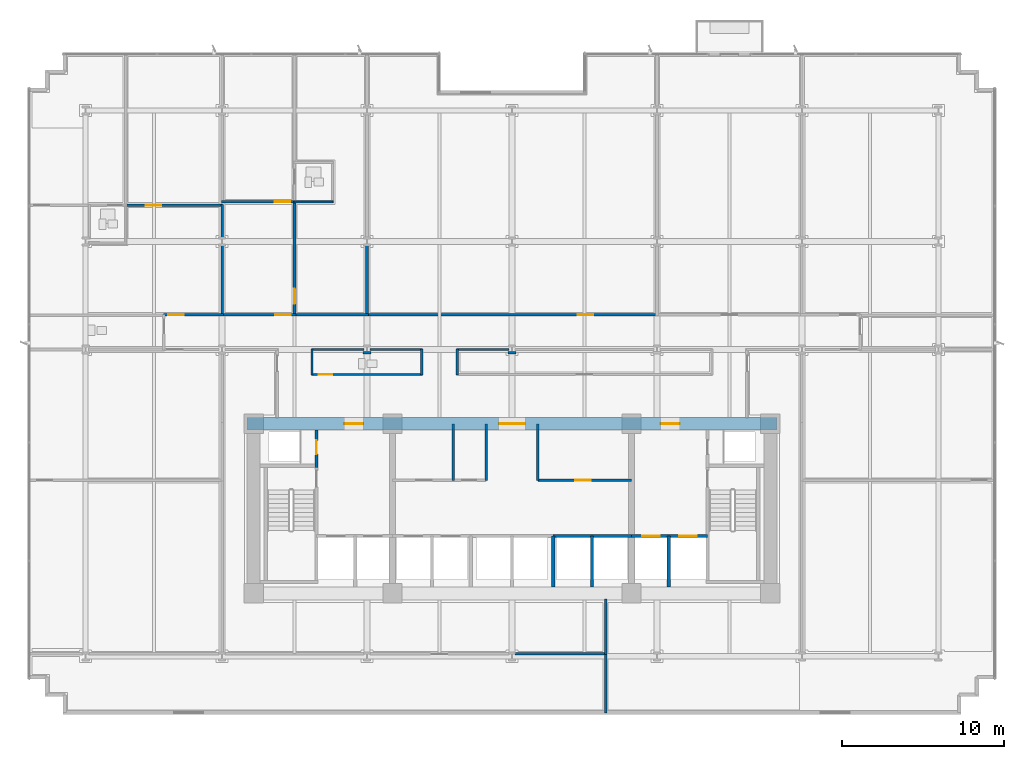
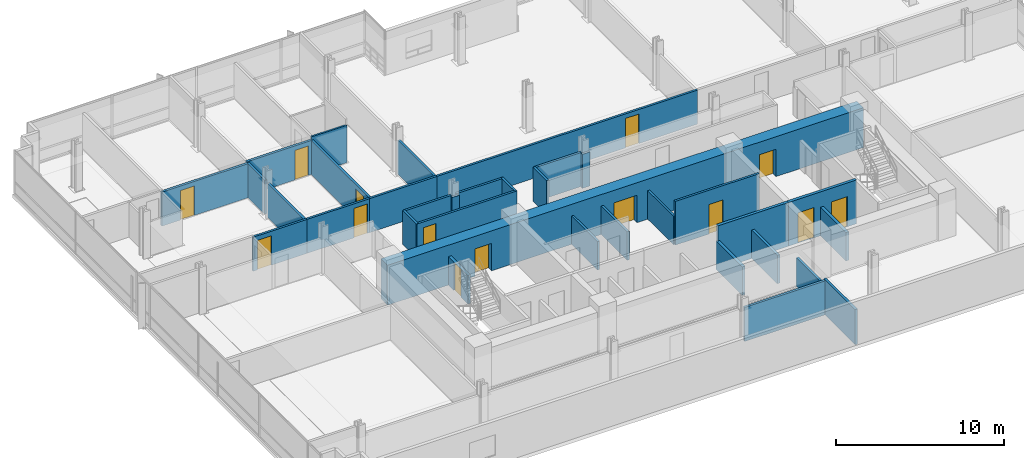
# One storey, part 13 of 20: 34 walls, 14 doors, 14 openings.
"""IFC4 building model written with IfcOpenShell, lengths in metres."""

import ifcopenshell
import ifcopenshell.guid

model = None  # the IFC model being written
_history = None  # IfcOwnerHistory: only IFC2X3 demands one
_inside = {}  # id of a spatial element -> (the spatial element, [elements in it])
_under = {}  # id of a project, library or spatial element -> (it, [spatial elements below it])
_declared = {}  # id of a project -> (the project, [libraries it declares])
_typed = {}  # id of a type object -> (the type object, [elements of that type])
_made_of = {}  # id of a material, layer set ... -> (it, [elements and type objects made of it])


def new_model(schema):
    """Start an empty IFC model of exactly this schema.

    Asked for "IFC4X3", IfcOpenShell would pick the latest addendum, in which some entities
    have other attributes; the version numbers below select the first issue.
    IFC2X3 requires an IfcOwnerHistory on every rooted entity: one is made here for all.
    """
    global model, _history
    if schema == "IFC4X3":
        model = ifcopenshell.file(schema_version=(4, 3, 0, 0))
    else:
        model = ifcopenshell.file(schema=schema)
    _inside.clear()
    _under.clear()
    _declared.clear()
    _typed.clear()
    _made_of.clear()
    _history = None
    if model.schema == "IFC2X3":
        org = make("IfcOrganization", Name="unknown")
        user = make(
            "IfcPersonAndOrganization",
            ThePerson=make("IfcPerson", FamilyName="unknown"),
            TheOrganization=org,
        )
        app = make(
            "IfcApplication",
            ApplicationDeveloper=org,
            Version="unknown",
            ApplicationFullName="unknown",
            ApplicationIdentifier="unknown",
        )
        _history = make(
            "IfcOwnerHistory",
            OwningUser=user,
            OwningApplication=app,
            ChangeAction="ADDED",
            CreationDate=0,
        )
    return model


def make(cls, **values):
    """One entity of the class cls with the attributes given. An attribute that is None is left unset."""
    return model.create_entity(
        cls, **{name: value for name, value in values.items() if value is not None}
    )


def rooted(cls, **values):
    """An entity with a GlobalId (a new one), such as an element, a storey or a relation."""
    return make(cls, GlobalId=ifcopenshell.guid.new(), OwnerHistory=_history, **values)


def si_unit(unit_type, name, prefix=None):
    """IfcSIUnit, for example si_unit("LENGTHUNIT", "METRE", prefix="MILLI")."""
    return make("IfcSIUnit", UnitType=unit_type, Prefix=prefix, Name=name)


def assignment(units):
    """IfcUnitAssignment: the units of a project."""
    return None if units is None else make("IfcUnitAssignment", Units=units)


def point(xyz):
    """IfcCartesianPoint."""
    return None if xyz is None else make("IfcCartesianPoint", Coordinates=xyz)


def direction(xyz):
    """IfcDirection."""
    return None if xyz is None else make("IfcDirection", DirectionRatios=xyz)


def frame(location, z_axis=None, x_axis=None):
    """IfcAxis2Placement3D, a coordinate frame: its origin and axes. An axis left out is left unset."""
    return make(
        "IfcAxis2Placement3D",
        Location=point(location),
        Axis=direction(z_axis),
        RefDirection=direction(x_axis),
    )


def frame_2d(location, x_axis=None):
    """IfcAxis2Placement2D, a coordinate frame in the plane: its origin and x axis."""
    return make(
        "IfcAxis2Placement2D", Location=point(location), RefDirection=direction(x_axis)
    )


def origin():
    """The frame at (0, 0, 0) with its axes left unset."""
    return frame((0.0, 0.0, 0.0))


def place(relative_to, where):
    """IfcLocalPlacement: puts the frame where relative to a parent placement (None: the world)."""
    return make(
        "IfcLocalPlacement", PlacementRelTo=relative_to, RelativePlacement=where
    )


def context(
    kind, dimensions, precision=None, world=None, true_north=None, identifier=None
):
    """IfcGeometricRepresentationContext, for example the 3D "Model" context."""
    return make(
        "IfcGeometricRepresentationContext",
        ContextIdentifier=identifier,
        ContextType=kind,
        CoordinateSpaceDimension=dimensions,
        Precision=precision,
        WorldCoordinateSystem=world,
        TrueNorth=true_north,
    )


def subcontext(parent, identifier, kind, view, scale=None):
    """IfcGeometricRepresentationSubContext, for example "Body" below "Model"."""
    return make(
        "IfcGeometricRepresentationSubContext",
        ContextIdentifier=identifier,
        ContextType=kind,
        ParentContext=parent,
        TargetScale=scale,
        TargetView=view,
    )


def project(units=None, contexts=None):
    """IfcProject with its units and contexts."""
    return rooted(
        "IfcProject",
        Name="project",
        RepresentationContexts=contexts,
        UnitsInContext=assignment(units),
    )


def spatial(cls, under=None, at=None, **own):
    """A site, building, storey or space (cls), placed at a placement, below another one or the project."""
    s = rooted(cls, ObjectPlacement=at, **own)
    if under is not None:
        _under.setdefault(under.id(), (under, []))[1].append(s)
    return s


def profile(cls, at=None, kind="AREA", **sizes):
    """A parametric profile (cls). Its sizes go by their IFC names, for example OverallWidth=200.0."""
    return make(cls, ProfileType=kind, Position=at, **sizes)


def rectangle(**sizes):
    """IfcRectangleProfileDef."""
    return profile("IfcRectangleProfileDef", **sizes)


def extrude(swept, where, along, depth):
    """IfcExtrudedAreaSolid: the profile swept, set in the frame where, extruded along a direction by depth."""
    return make(
        "IfcExtrudedAreaSolid",
        SweptArea=swept,
        Position=where,
        ExtrudedDirection=direction(along),
        Depth=depth,
    )


def shape(context_of_items, identifier, shape_type, items):
    """IfcShapeRepresentation: the items that make up one representation, for example the "Body"."""
    return make(
        "IfcShapeRepresentation",
        ContextOfItems=context_of_items,
        RepresentationIdentifier=identifier,
        RepresentationType=shape_type,
        Items=items,
    )


def material(Name=None, Category=None):
    """IfcMaterial."""
    return make("IfcMaterial", Name=Name, Category=Category)


def layer(
    of_material, thickness, ventilated=None, Name=None, Category=None, Priority=None
):
    """IfcMaterialLayer: one layer of a wall or slab, of a material (None: an air gap)."""
    return make(
        "IfcMaterialLayer",
        Material=of_material,
        LayerThickness=thickness,
        IsVentilated=ventilated,
        Name=Name,
        Category=Category,
        Priority=Priority,
    )


def layer_set(layers, Name=None):
    """IfcMaterialLayerSet."""
    return make("IfcMaterialLayerSet", MaterialLayers=layers, LayerSetName=Name)


def made_of(thing, what):
    """Note that an element or type object is made of a material, layer set ...; save() writes the relation."""
    if what is not None:
        _made_of.setdefault(what.id(), (what, []))[1].append(thing)
    return thing


def type_object(cls, material=None, **own):
    """A type object (cls), such as IfcWallType, which elements share."""
    return made_of(rooted(cls, **own), material)


def element(
    cls,
    number,
    at=None,
    inside=None,
    cuts=None,
    type_object=None,
    material=None,
    context=None,
    identifier="Body",
    shape_type=None,
    held_by="IfcProductDefinitionShape",
    body=None,
    shapes=None,
    **own,
):
    """One element of the class cls, such as IfcWall. Its Tag is "e" and its number.

    at: its placement. inside: the storey or other place that contains it. cuts: it is an
    opening in that element (IfcRelVoidsElement). A single representation is given by context,
    identifier, shape_type and body (its items); several are given by shapes. held_by: the class
    of the entity that holds the representations. save() writes the other relations.
    """
    e = rooted(cls, Tag="e%d" % number, ObjectPlacement=at, **own)
    if body is not None:
        shapes = [shape(context, identifier, shape_type, body)]
    if shapes is not None:
        e.Representation = make(held_by, Representations=shapes)
    if inside is not None:
        _inside.setdefault(inside.id(), (inside, []))[1].append(e)
    if cuts is not None:
        rooted(
            "IfcRelVoidsElement", RelatingBuildingElement=cuts, RelatedOpeningElement=e
        )
    if type_object is not None:
        _typed.setdefault(type_object.id(), (type_object, []))[1].append(e)
    return made_of(e, material)


def fill(opening, filler):
    """IfcRelFillsElement: the door or window that sits in an opening."""
    return rooted(
        "IfcRelFillsElement",
        RelatingOpeningElement=opening,
        RelatedBuildingElement=filler,
    )


def aggregate(whole, parts):
    """IfcRelAggregates: a whole, such as a stair, and the parts it consists of."""
    return rooted("IfcRelAggregates", RelatingObject=whole, RelatedObjects=parts)


def save(model, path):
    """Write the relations noted so far, then the file.

    IfcRelAggregates (storeys below a building ...), IfcRelContainedInSpatialStructure (elements
    in a storey), IfcRelDefinesByType, IfcRelAssociatesMaterial and IfcRelDeclares: one each for
    every whole, place, type object, material and project.
    """
    for whole, parts in _under.values():
        aggregate(whole, parts)
    for where, things in _inside.values():
        rooted(
            "IfcRelContainedInSpatialStructure",
            RelatedElements=things,
            RelatingStructure=where,
        )
    for kind, things in _typed.values():
        rooted("IfcRelDefinesByType", RelatedObjects=things, RelatingType=kind)
    for what, things in _made_of.values():
        rooted("IfcRelAssociatesMaterial", RelatedObjects=things, RelatingMaterial=what)
    for by, libraries in _declared.values():
        rooted("IfcRelDeclares", RelatingContext=by, RelatedDefinitions=libraries)
    model.write(path)


model = new_model("IFC4")

# Units and contexts
model_context = context("Model", 3, precision=1e-05, world=origin(), true_north=direction((0.0, 1.0)))
body_context = subcontext(model_context, "Body", "Model", "MODEL_VIEW")
ifc_project = project(units=[si_unit("LENGTHUNIT", "METRE"), si_unit("AREAUNIT", "SQUARE_METRE"), si_unit("VOLUMEUNIT", "CUBIC_METRE"), si_unit("PLANEANGLEUNIT", "RADIAN"), si_unit("MASSUNIT", "GRAM", prefix="KILO")], contexts=[model_context])

# Site, building, storey
site_placement = place(None, origin())
site = spatial("IfcSite", under=ifc_project, at=site_placement, CompositionType="ELEMENT")
building_placement = place(site_placement, origin())
building = spatial("IfcBuilding", under=site, at=building_placement, Name="Solmavex Isthmus Hotel", CompositionType="ELEMENT")
storey_placement = place(building_placement, frame((0.0, 0.0, 57.449951171875)))
storey = spatial("IfcBuildingStorey", under=building, at=storey_placement, Name="L15", CompositionType="ELEMENT", Elevation=57.449951171875)

# Wall, opening, door
ifc_material_1 = material(Name="Gypsum plasterboard lining", Category="gypsum")
ifc_layer_1 = layer(ifc_material_1, 0.159912109375)
ifc_layer_set_1 = layer_set([ifc_layer_1], Name="Gypsum plasterboard lining")
wall_type_1 = type_object("IfcWallType", Name="IW-COMP-160", PredefinedType="PARTITIONING", material=ifc_layer_set_1)
wall_1_placement = place(storey_placement, frame((-23.9560546875, 11.0380859375, 0.0), z_axis=(0.0, 0.0, 1.0), x_axis=(1.0, 0.0, 0.0)))
wall_1 = element("IfcWall", 1, at=wall_1_placement, inside=storey, type_object=wall_type_1, Name="Interior Partition Wall W-L15-P030", PredefinedType="PARTITIONING", context=body_context, shape_type="SweptSolid", body=[
    extrude(rectangle(XDim=6.0439453125, YDim=0.159912109375, at=frame_2d((3.02197265625, 0.0))), origin(), (0.0, 0.0, 1.0), 2.4794921875),
])
opening_1_placement = place(wall_1_placement, frame((1.294677734375, 0.0, 0.0)))
opening_1 = element("IfcOpeningElement", 2, at=opening_1_placement, cuts=wall_1, Name="Opening ID-C095", PredefinedType="OPENING", context=body_context, shape_type="SweptSolid", body=[
    extrude(rectangle(XDim=0.949951171875, YDim=2.14990234375, at=frame_2d((0.47509765625, 1.074951171875))), frame((0.0, 0.08984375, 0.0), z_axis=(0.0, -1.0, 0.0), x_axis=(1.0, 0.0, 0.0)), (0.0, 0.0, 1.0), 0.179931640625),
])
ifc_material_2 = material(Name="Hardwood timber", Category="wood")
door_type_1 = type_object("IfcDoorType", Name="IDR-FD60-0950", OperationType="NOTDEFINED", PredefinedType="DOOR", material=ifc_material_2)
door_1_placement = place(opening_1_placement, origin())
door_1 = element("IfcDoor", 3, at=door_1_placement, inside=storey, type_object=door_type_1, Name="Ambassador Panorama Suite Panorama Sitting Study Door L15-03", OperationType="SINGLE_SWING_LEFT", OverallHeight=2.14990234375, OverallWidth=0.949951171875, PredefinedType="DOOR", context=body_context, shape_type="SweptSolid", body=[
    extrude(rectangle(XDim=0.949951171875, YDim=2.14990234375, at=frame_2d((0.47509765625, 1.074951171875))), frame((0.0, 0.02490234375, 0.0), z_axis=(0.0, -1.0, 0.0), x_axis=(1.0, 0.0, 0.0)), (0.0, 0.0, 1.0), 0.050048828125),
])
fill(opening_1, door_1)

# Walls
wall_2_placement = place(storey_placement, frame((-17.951904296875, 8.613037109375, 0.0), z_axis=(0.0, 0.0, 1.0), x_axis=(0.0, -1.0, 0.0)))
element("IfcWall", 4, at=wall_2_placement, inside=storey, type_object=wall_type_1, Name="Interior Partition Wall W-L15-P034", PredefinedType="PARTITIONING", context=body_context, shape_type="SweptSolid", body=[
    extrude(rectangle(XDim=4.403076171875, YDim=0.159912109375, at=frame_2d((2.20166015625, 0.0))), origin(), (0.0, 0.0, 1.0), 2.4794921875),
])
wall_3_placement = place(storey_placement, frame((-17.951904296875, 11.077880859375, 0.0), z_axis=(0.0, 0.0, 1.0), x_axis=(0.0, -1.0, 0.0)))
element("IfcWall", 5, at=wall_3_placement, inside=storey, type_object=wall_type_1, Name="Interior Partition Wall W-L15-P035", PredefinedType="PARTITIONING", context=body_context, shape_type="SweptSolid", body=[
    extrude(rectangle(XDim=2.114990234375, YDim=0.159912109375, at=frame_2d((1.0576171875, 0.0))), origin(), (0.0, 0.0, 1.0), 2.4794921875),
])

# Wall, opening, door
wall_4_placement = place(storey_placement, frame((-17.991943359375, 11.238037109375, 0.0), z_axis=(0.0, 0.0, 1.0), x_axis=(1.0, 0.0, 0.0)))
wall_4 = element("IfcWall", 6, at=wall_4_placement, inside=storey, type_object=wall_type_1, Name="Interior Partition Wall W-L15-P041", PredefinedType="PARTITIONING", context=body_context, shape_type="SweptSolid", body=[
    extrude(rectangle(XDim=4.56787109375, YDim=0.159912109375, at=frame_2d((2.283935546875, 0.0))), origin(), (0.0, 0.0, 1.0), 2.4794921875),
])
opening_2_placement = place(wall_4_placement, frame((3.31689453125, 0.0, 0.0)))
opening_2 = element("IfcOpeningElement", 7, at=opening_2_placement, cuts=wall_4, Name="Opening ID-C095", PredefinedType="OPENING", context=body_context, shape_type="SweptSolid", body=[
    extrude(rectangle(XDim=0.949951171875, YDim=2.14990234375, at=frame_2d((0.47509765625, 1.074951171875))), frame((0.0, 0.08984375, 0.0), z_axis=(0.0, -1.0, 0.0), x_axis=(1.0, 0.0, 0.0)), (0.0, 0.0, 1.0), 0.179931640625),
])
door_2_placement = place(opening_2_placement, origin())
door_2 = element("IfcDoor", 8, at=door_2_placement, inside=storey, type_object=door_type_1, Name="Premier Hospitality Suite Master Bedroom Door L15-06", OperationType="SINGLE_SWING_RIGHT", OverallHeight=2.14990234375, OverallWidth=0.949951171875, PredefinedType="DOOR", context=body_context, shape_type="SweptSolid", body=[
    extrude(rectangle(XDim=0.949951171875, YDim=2.14990234375, at=frame_2d((0.47509765625, 1.074951171875))), frame((0.0, 0.02490234375, 0.0), z_axis=(0.0, -1.0, 0.0), x_axis=(1.0, 0.0, 0.0)), (0.0, 0.0, 1.0), 0.050048828125),
])
fill(opening_2, door_2)

wall_5_placement = place(storey_placement, frame((-13.464111328125, 11.278076171875, 0.0), z_axis=(0.0, 0.0, 1.0), x_axis=(0.0, -1.0, 0.0)))
wall_5 = element("IfcWall", 9, at=wall_5_placement, inside=storey, type_object=wall_type_1, Name="Interior Partition Wall W-L15-P042", PredefinedType="PARTITIONING", context=body_context, shape_type="SweptSolid", body=[
    extrude(rectangle(XDim=7.068115234375, YDim=0.159912109375, at=frame_2d((3.5341796875, 0.0))), origin(), (0.0, 0.0, 1.0), 2.4794921875),
])
opening_3_placement = place(wall_5_placement, frame((5.406982421875, 0.0, 0.0)))
opening_3 = element("IfcOpeningElement", 10, at=opening_3_placement, cuts=wall_5, Name="Opening ID-C095", PredefinedType="OPENING", context=body_context, shape_type="SweptSolid", body=[
    extrude(rectangle(XDim=0.949951171875, YDim=2.14990234375, at=frame_2d((0.47509765625, 1.074951171875))), frame((0.0, 0.08984375, 0.0), z_axis=(0.0, -1.0, 0.0), x_axis=(1.0, 0.0, 0.0)), (0.0, 0.0, 1.0), 0.179931640625),
])
door_3_placement = place(opening_3_placement, frame((0.949951171875, 0.0, 0.0), z_axis=(0.0, 0.0, 1.0), x_axis=(-1.0, 0.0, 0.0)))
door_3 = element("IfcDoor", 11, at=door_3_placement, inside=storey, type_object=door_type_1, Name="Premier Hospitality Suite Living Lounge Door L15-07", OperationType="SINGLE_SWING_LEFT", OverallHeight=2.14990234375, OverallWidth=0.949951171875, PredefinedType="DOOR", context=body_context, shape_type="SweptSolid", body=[
    extrude(rectangle(XDim=0.949951171875, YDim=2.14990234375, at=frame_2d((0.47509765625, 1.074951171875))), frame((0.0, 0.02490234375, 0.0), z_axis=(0.0, -1.0, 0.0), x_axis=(1.0, 0.0, 0.0)), (0.0, 0.0, 1.0), 0.050048828125),
])
fill(opening_3, door_3)

# Walls
wall_6_placement = place(storey_placement, frame((-8.97607421875, 8.613037109375, 0.0), z_axis=(0.0, 0.0, 1.0), x_axis=(0.0, -1.0, 0.0)))
element("IfcWall", 12, at=wall_6_placement, inside=storey, type_object=wall_type_1, Name="Interior Partition Wall W-L15-P048", PredefinedType="PARTITIONING", context=body_context, shape_type="SweptSolid", body=[
    extrude(rectangle(XDim=4.403076171875, YDim=0.159912109375, at=frame_2d((2.20166015625, 0.0))), origin(), (0.0, 0.0, 1.0), 2.4794921875),
])
wall_7_placement = place(storey_placement, frame((5.800048828125, -13.360107421875, 0.0), z_axis=(0.0, 0.0, 1.0), x_axis=(0.0, -1.0, 0.0)))
element("IfcWall", 13, at=wall_7_placement, inside=storey, type_object=wall_type_1, Name="Interior Partition Wall W-L15-P068", PredefinedType="PARTITIONING", context=body_context, shape_type="SweptSolid", body=[
    extrude(rectangle(XDim=3.429931640625, YDim=0.159912109375, at=frame_2d((1.71484375, 0.0))), origin(), (0.0, 0.0, 1.0), 2.074951171875),
])
wall_8_placement = place(storey_placement, frame((5.840087890625, -16.75, 0.0), z_axis=(0.0, 0.0, 1.0), x_axis=(-1.0, 0.0, 0.0)))
element("IfcWall", 14, at=wall_8_placement, inside=storey, type_object=wall_type_1, Name="Interior Partition Wall W-L15-P071", PredefinedType="PARTITIONING", context=body_context, shape_type="SweptSolid", body=[
    extrude(rectangle(XDim=5.6650390625, YDim=0.159912109375, at=frame_2d((2.83251953125, 0.0))), origin(), (0.0, 0.0, 1.0), 2.4794921875),
])
wall_9_placement = place(storey_placement, frame((5.800048828125, -20.419921875, 0.0), z_axis=(0.0, 0.0, 1.0), x_axis=(0.0, 1.0, 0.0)))
element("IfcWall", 15, at=wall_9_placement, inside=storey, type_object=wall_type_1, Name="Interior Partition Wall W-L15-P073", PredefinedType="PARTITIONING", context=body_context, shape_type="SweptSolid", body=[
    extrude(rectangle(XDim=3.751953125, YDim=0.159912109375, at=frame_2d((1.8759765625, 0.0))), origin(), (0.0, 0.0, 1.0), 2.55322265625),
])
ifc_layer_2 = layer(ifc_material_1, 0.14990234375)
ifc_layer_set_2 = layer_set([ifc_layer_2], Name="Gypsum plasterboard lining")
wall_type_2 = type_object("IfcWallType", Name="IW-CORR-150", PredefinedType="PARTITIONING", material=ifc_layer_set_2)
wall_10_placement = place(storey_placement, frame((-1.60009765625, -6.0, 0.0), z_axis=(0.0, 0.0, 1.0), x_axis=(0.0, 1.0, 0.0)))
element("IfcWall", 16, at=wall_10_placement, inside=storey, type_object=wall_type_2, Name="Interior Partition Wall W-L15-BOH-WE", PredefinedType="PARTITIONING", context=body_context, shape_type="SweptSolid", body=[
    extrude(rectangle(XDim=3.5, YDim=0.14990234375, at=frame_2d((1.75, 0.0))), origin(), (0.0, 0.0, 1.0), 2.074951171875),
])

# Wall, opening, door
wall_11_placement = place(storey_placement, frame((1.60009765625, -6.0, 0.0), z_axis=(0.0, 0.0, 1.0), x_axis=(1.0, 0.0, 0.0)))
wall_11 = element("IfcWall", 17, at=wall_11_placement, inside=storey, type_object=wall_type_2, Name="Interior Partition Wall W-L15-BOH-ES", PredefinedType="PARTITIONING", context=body_context, shape_type="SweptSolid", body=[
    extrude(rectangle(XDim=5.7998046875, YDim=0.14990234375, at=frame_2d((2.89990234375, 0.0))), origin(), (0.0, 0.0, 1.0), 3.18994140625),
])
opening_4_placement = place(wall_11_placement, frame((2.324951171875, 0.0, 0.0)))
opening_4 = element("IfcOpeningElement", 18, at=opening_4_placement, cuts=wall_11, Name="Opening ID-C095", PredefinedType="OPENING", context=body_context, shape_type="SweptSolid", body=[
    extrude(rectangle(XDim=0.949951171875, YDim=2.14990234375, at=frame_2d((0.47509765625, 1.074951171875))), frame((0.0, 0.0849609375, 0.0), z_axis=(0.0, -1.0, 0.0), x_axis=(1.0, 0.0, 0.0)), (0.0, 0.0, 1.0), 0.169921875),
])
door_4_placement = place(opening_4_placement, frame((0.949951171875, 0.0, 0.0), z_axis=(0.0, 0.0, 1.0), x_axis=(-1.0, 0.0, 0.0)))
door_4 = element("IfcDoor", 19, at=door_4_placement, inside=storey, type_object=door_type_1, Name="Butler Pantry Door L15", OperationType="SINGLE_SWING_RIGHT", OverallHeight=2.14990234375, OverallWidth=0.949951171875, PredefinedType="DOOR", context=body_context, shape_type="SweptSolid", body=[
    extrude(rectangle(XDim=0.949951171875, YDim=2.14990234375, at=frame_2d((0.47509765625, 1.074951171875))), frame((0.0, 0.02490234375, 0.0), z_axis=(0.0, -1.0, 0.0), x_axis=(1.0, 0.0, 0.0)), (0.0, 0.0, 1.0), 0.050048828125),
])
fill(opening_4, door_4)

# Wall
wall_12_placement = place(storey_placement, frame((1.60009765625, -6.0, 0.0), z_axis=(0.0, 0.0, 1.0), x_axis=(0.0, 1.0, 0.0)))
element("IfcWall", 20, at=wall_12_placement, inside=storey, type_object=wall_type_2, Name="Interior Partition Wall W-L15-BOH-EW", PredefinedType="PARTITIONING", context=body_context, shape_type="SweptSolid", body=[
    extrude(rectangle(XDim=3.5, YDim=0.14990234375, at=frame_2d((1.75, 0.0))), origin(), (0.0, 0.0, 1.0), 2.074951171875),
])

# Wall, opening, door
wall_13_placement = place(storey_placement, frame((-21.592041015625, 4.25, 0.0), z_axis=(0.0, 0.0, 1.0), x_axis=(1.0, 0.0, 0.0)))
wall_13 = element("IfcWall", 21, at=wall_13_placement, inside=storey, type_object=wall_type_2, Name="Interior Partition Wall W-L15-P001", PredefinedType="PARTITIONING", context=body_context, shape_type="SweptSolid", body=[
    extrude(rectangle(XDim=3.721923828125, YDim=0.14990234375, at=frame_2d((1.86083984375, 0.0))), origin(), (0.0, 0.0, 1.0), 2.4794921875),
])
opening_5_placement = place(wall_13_placement, frame((0.315185546875, 0.0, 0.0)))
opening_5 = element("IfcOpeningElement", 22, at=opening_5_placement, cuts=wall_13, Name="Opening ID-C095", PredefinedType="OPENING", context=body_context, shape_type="SweptSolid", body=[
    extrude(rectangle(XDim=0.949951171875, YDim=2.14990234375, at=frame_2d((0.47509765625, 1.074951171875))), frame((0.0, 0.0849609375, 0.0), z_axis=(0.0, -1.0, 0.0), x_axis=(1.0, 0.0, 0.0)), (0.0, 0.0, 1.0), 0.169921875),
])
door_5_placement = place(opening_5_placement, origin())
door_5 = element("IfcDoor", 23, at=door_5_placement, inside=storey, type_object=door_type_1, Name="Ambassador Panorama Suite Living Salon Door L15-01", OperationType="SINGLE_SWING_LEFT", OverallHeight=2.14990234375, OverallWidth=0.949951171875, PredefinedType="DOOR", context=body_context, shape_type="SweptSolid", body=[
    extrude(rectangle(XDim=0.949951171875, YDim=2.14990234375, at=frame_2d((0.47509765625, 1.074951171875))), frame((0.0, 0.02490234375, 0.0), z_axis=(0.0, -1.0, 0.0), x_axis=(1.0, 0.0, 0.0)), (0.0, 0.0, 1.0), 0.050048828125),
])
fill(opening_5, door_5)

wall_14_placement = place(storey_placement, frame((-18.033935546875, 4.25, 0.0), z_axis=(0.0, 0.0, 1.0), x_axis=(1.0, 0.0, 0.0)))
wall_14 = element("IfcWall", 24, at=wall_14_placement, inside=storey, type_object=wall_type_2, Name="Interior Partition Wall W-L15-P002", PredefinedType="PARTITIONING", context=body_context, shape_type="SweptSolid", body=[
    extrude(rectangle(XDim=4.65185546875, YDim=0.14990234375, at=frame_2d((2.325927734375, 0.0))), origin(), (0.0, 0.0, 1.0), 2.4794921875),
])
opening_6_placement = place(wall_14_placement, frame((3.38720703125, 0.0, 0.0)))
opening_6 = element("IfcOpeningElement", 25, at=opening_6_placement, cuts=wall_14, Name="Opening ID-C095", PredefinedType="OPENING", context=body_context, shape_type="SweptSolid", body=[
    extrude(rectangle(XDim=0.949951171875, YDim=2.14990234375, at=frame_2d((0.47509765625, 1.074951171875))), frame((0.0, 0.0849609375, 0.0), z_axis=(0.0, -1.0, 0.0), x_axis=(1.0, 0.0, 0.0)), (0.0, 0.0, 1.0), 0.169921875),
])
door_6_placement = place(opening_6_placement, origin())
door_6 = element("IfcDoor", 26, at=door_6_placement, inside=storey, type_object=door_type_1, Name="Premier Hospitality Suite Entrance Hall Door L15-05", OperationType="SINGLE_SWING_LEFT", OverallHeight=2.14990234375, OverallWidth=0.949951171875, PredefinedType="DOOR", context=body_context, shape_type="SweptSolid", body=[
    extrude(rectangle(XDim=0.949951171875, YDim=2.14990234375, at=frame_2d((0.47509765625, 1.074951171875))), frame((0.0, 0.02490234375, 0.0), z_axis=(0.0, -1.0, 0.0), x_axis=(1.0, 0.0, 0.0)), (0.0, 0.0, 1.0), 0.050048828125),
])
fill(opening_6, door_6)

# Wall
wall_15_placement = place(storey_placement, frame((-13.5458984375, 4.25, 0.0), z_axis=(0.0, 0.0, 1.0), x_axis=(1.0, 0.0, 0.0)))
element("IfcWall", 27, at=wall_15_placement, inside=storey, type_object=wall_type_2, Name="Interior Partition Wall W-L15-P003", PredefinedType="PARTITIONING", context=body_context, shape_type="SweptSolid", body=[
    extrude(rectangle(XDim=4.65185546875, YDim=0.14990234375, at=frame_2d((2.325927734375, 0.0))), origin(), (0.0, 0.0, 1.0), 2.4794921875),
])

# Wall, opening, door
wall_16_placement = place(storey_placement, frame((-9.05810546875, 4.25, 0.0), z_axis=(0.0, 0.0, 1.0), x_axis=(1.0, 0.0, 0.0)))
wall_16 = element("IfcWall", 28, at=wall_16_placement, inside=storey, type_object=wall_type_2, Name="Interior Partition Wall W-L15-P004", PredefinedType="PARTITIONING", context=body_context, shape_type="SweptSolid", body=[
    extrude(rectangle(XDim=18.1162109375, YDim=0.14990234375, at=frame_2d((9.05810546875, 0.0))), origin(), (0.0, 0.0, 1.0), 2.4794921875),
])
opening_7_placement = place(wall_16_placement, frame((13.128173828125, 0.0, 0.0)))
opening_7 = element("IfcOpeningElement", 29, at=opening_7_placement, cuts=wall_16, Name="Opening ID-C095", PredefinedType="OPENING", context=body_context, shape_type="SweptSolid", body=[
    extrude(rectangle(XDim=0.949951171875, YDim=2.14990234375, at=frame_2d((0.47509765625, 1.074951171875))), frame((0.0, 0.0849609375, 0.0), z_axis=(0.0, -1.0, 0.0), x_axis=(1.0, 0.0, 0.0)), (0.0, 0.0, 1.0), 0.169921875),
])
door_7_placement = place(opening_7_placement, origin())
door_7 = element("IfcDoor", 30, at=door_7_placement, inside=storey, type_object=door_type_1, Name="Corporate Briefing Office Door L15-09", OperationType="SINGLE_SWING_LEFT", OverallHeight=2.14990234375, OverallWidth=0.949951171875, PredefinedType="DOOR", context=body_context, shape_type="SweptSolid", body=[
    extrude(rectangle(XDim=0.949951171875, YDim=2.14990234375, at=frame_2d((0.47509765625, 1.074951171875))), frame((0.0, 0.02490234375, 0.0), z_axis=(0.0, -1.0, 0.0), x_axis=(1.0, 0.0, 0.0)), (0.0, 0.0, 1.0), 0.050048828125),
])
fill(opening_7, door_7)

wall_17_placement = place(storey_placement, frame((-12.424072265625, 0.550048828125, 0.0), z_axis=(0.0, 0.0, 1.0), x_axis=(1.0, 0.0, 0.0)))
wall_17 = element("IfcWall", 31, at=wall_17_placement, inside=storey, type_object=wall_type_2, Name="Interior Partition Wall W-L15-P007", PredefinedType="PARTITIONING", context=body_context, shape_type="SweptSolid", body=[
    extrude(rectangle(XDim=6.8759765625, YDim=0.14990234375, at=frame_2d((3.43798828125, 0.0))), origin(), (0.0, 0.0, 1.0), 2.4794921875),
])
opening_8_placement = place(wall_17_placement, frame((0.444091796875, 0.0, 0.0)))
opening_8 = element("IfcOpeningElement", 32, at=opening_8_placement, cuts=wall_17, Name="Opening ID-R085", PredefinedType="OPENING", context=body_context, shape_type="SweptSolid", body=[
    extrude(rectangle(XDim=0.85009765625, YDim=2.050048828125, at=frame_2d((0.425048828125, 1.02490234375))), frame((0.0, 0.0849609375, 0.0), z_axis=(0.0, -1.0, 0.0), x_axis=(1.0, 0.0, 0.0)), (0.0, 0.0, 1.0), 0.169921875),
])
ifc_material_3 = material(Name="Steel ASTM A500 Grade C", Category="steel")
door_type_2 = type_object("IfcDoorType", Name="IDR-FD60-0850", OperationType="NOTDEFINED", PredefinedType="DOOR", material=ifc_material_3)
door_8_placement = place(opening_8_placement, frame((0.85009765625, 0.0, 0.0), z_axis=(0.0, 0.0, 1.0), x_axis=(-1.0, 0.0, 0.0)))
door_8 = element("IfcDoor", 33, at=door_8_placement, inside=storey, type_object=door_type_2, Name="Accessible Public Restroom WC Door L15-12", OperationType="SINGLE_SWING_RIGHT", OverallHeight=2.050048828125, OverallWidth=0.85009765625, PredefinedType="DOOR", context=body_context, shape_type="SweptSolid", body=[
    extrude(rectangle(XDim=0.85009765625, YDim=2.050048828125, at=frame_2d((0.425048828125, 1.02490234375))), frame((0.0, 0.02490234375, 0.0), z_axis=(0.0, -1.0, 0.0), x_axis=(1.0, 0.0, 0.0)), (0.0, 0.0, 1.0), 0.050048828125),
])
fill(opening_8, door_8)

# Walls
wall_18_placement = place(storey_placement, frame((-5.587890625, 0.510009765625, 0.0), z_axis=(0.0, 0.0, 1.0), x_axis=(0.0, 1.0, 0.0)))
element("IfcWall", 34, at=wall_18_placement, inside=storey, type_object=wall_type_2, Name="Interior Partition Wall W-L15-P008", PredefinedType="PARTITIONING", context=body_context, shape_type="SweptSolid", body=[
    extrude(rectangle(XDim=1.6298828125, YDim=0.14990234375, at=frame_2d((0.81494140625, 0.0))), origin(), (0.0, 0.0, 1.0), 2.4794921875),
])
wall_19_placement = place(storey_placement, frame((-5.548095703125, 2.10009765625, 0.0), z_axis=(0.0, 0.0, 1.0), x_axis=(-1.0, 0.0, 0.0)))
element("IfcWall", 35, at=wall_19_placement, inside=storey, type_object=wall_type_2, Name="Interior Partition Wall W-L15-P009", PredefinedType="PARTITIONING", context=body_context, shape_type="SweptSolid", body=[
    extrude(rectangle(XDim=3.2529296875, YDim=0.14990234375, at=frame_2d((1.62646484375, 0.0))), origin(), (0.0, 0.0, 1.0), 2.4794921875),
])
wall_20_placement = place(storey_placement, frame((-8.720947265625, 1.885009765625, 0.0), z_axis=(0.0, 0.0, 1.0), x_axis=(-1.0, 0.0, 0.0)))
element("IfcWall", 36, at=wall_20_placement, inside=storey, type_object=wall_type_2, Name="Interior Partition Wall W-L15-P010", PredefinedType="PARTITIONING", context=body_context, shape_type="SweptSolid", body=[
    extrude(rectangle(XDim=0.510009765625, YDim=0.14990234375, at=frame_2d((0.2548828125, 0.0))), origin(), (0.0, 0.0, 1.0), 2.4794921875),
])
wall_21_placement = place(storey_placement, frame((-9.15087890625, 2.10009765625, 0.0), z_axis=(0.0, 0.0, 1.0), x_axis=(-1.0, 0.0, 0.0)))
element("IfcWall", 37, at=wall_21_placement, inside=storey, type_object=wall_type_2, Name="Interior Partition Wall W-L15-P011", PredefinedType="PARTITIONING", context=body_context, shape_type="SweptSolid", body=[
    extrude(rectangle(XDim=3.273193359375, YDim=0.14990234375, at=frame_2d((1.63671875, 0.0))), origin(), (0.0, 0.0, 1.0), 2.4794921875),
])
wall_22_placement = place(storey_placement, frame((-12.384033203125, 2.139892578125, 0.0), z_axis=(0.0, 0.0, 1.0), x_axis=(0.0, -1.0, 0.0)))
element("IfcWall", 38, at=wall_22_placement, inside=storey, type_object=wall_type_2, Name="Interior Partition Wall W-L15-P012", PredefinedType="PARTITIONING", context=body_context, shape_type="SweptSolid", body=[
    extrude(rectangle(XDim=1.6298828125, YDim=0.14990234375, at=frame_2d((0.81494140625, 0.0))), origin(), (0.0, 0.0, 1.0), 2.4794921875),
])
wall_23_placement = place(storey_placement, frame((-0.175048828125, 2.10009765625, 0.0), z_axis=(0.0, 0.0, 1.0), x_axis=(-1.0, 0.0, 0.0)))
element("IfcWall", 39, at=wall_23_placement, inside=storey, type_object=wall_type_2, Name="Interior Partition Wall W-L15-P015", PredefinedType="PARTITIONING", context=body_context, shape_type="SweptSolid", body=[
    extrude(rectangle(XDim=3.2529296875, YDim=0.14990234375, at=frame_2d((1.62646484375, 0.0))), origin(), (0.0, 0.0, 1.0), 2.4794921875),
])
wall_24_placement = place(storey_placement, frame((-3.387939453125, 2.139892578125, 0.0), z_axis=(0.0, 0.0, 1.0), x_axis=(0.0, -1.0, 0.0)))
element("IfcWall", 40, at=wall_24_placement, inside=storey, type_object=wall_type_2, Name="Interior Partition Wall W-L15-P016", PredefinedType="PARTITIONING", context=body_context, shape_type="SweptSolid", body=[
    extrude(rectangle(XDim=1.6298828125, YDim=0.14990234375, at=frame_2d((0.81494140625, 0.0))), origin(), (0.0, 0.0, 1.0), 2.4794921875),
])
wall_25_placement = place(storey_placement, frame((0.2548828125, 1.885009765625, 0.0), z_axis=(0.0, 0.0, 1.0), x_axis=(-1.0, 0.0, 0.0)))
element("IfcWall", 41, at=wall_25_placement, inside=storey, type_object=wall_type_2, Name="Interior Partition Wall W-L15-P022", PredefinedType="PARTITIONING", context=body_context, shape_type="SweptSolid", body=[
    extrude(rectangle(XDim=0.509765625, YDim=0.14990234375, at=frame_2d((0.2548828125, 0.0))), origin(), (0.0, 0.0, 1.0), 2.4794921875),
])
ifc_layer_3 = layer(ifc_material_1, 0.1201171875)
ifc_layer_set_3 = layer_set([ifc_layer_3], Name="Gypsum plasterboard lining")
wall_type_3 = type_object("IfcWallType", Name="IW-PART-120", PredefinedType="PARTITIONING", material=ifc_layer_set_3)
wall_26_placement = place(storey_placement, frame((-3.64990234375, -6.0, 0.0), z_axis=(0.0, 0.0, 1.0), x_axis=(0.0, 1.0, 0.0)))
element("IfcWall", 42, at=wall_26_placement, inside=storey, type_object=wall_type_3, Name="Interior Partition Wall W-L15-BOH-WM1", PredefinedType="PARTITIONING", context=body_context, shape_type="SweptSolid", body=[
    extrude(rectangle(XDim=3.5, YDim=0.14990234375, at=frame_2d((1.75, 0.0))), origin(), (0.0, 0.0, 1.0), 2.074951171875),
])
wall_27_placement = place(storey_placement, frame((-13.50390625, 11.238037109375, 0.0), z_axis=(0.0, 0.0, 1.0), x_axis=(1.0, 0.0, 0.0)))
element("IfcWall", 43, at=wall_27_placement, inside=storey, type_object=wall_type_3, Name="Interior Partition Wall W-L15-P045", PredefinedType="PARTITIONING", context=body_context, shape_type="SweptSolid", body=[
    extrude(rectangle(XDim=2.429931640625, YDim=0.1201171875, at=frame_2d((1.21484375, 0.0))), origin(), (0.0, 0.0, 1.0), 2.71826171875),
])
ifc_material_4 = material(Name="Concrete C40/50", Category="concrete")
ifc_layer_4 = layer(ifc_material_4, 0.179931640625)
ifc_layer_set_4 = layer_set([ifc_layer_4], Name="Concrete C40/50")
wall_type_4 = type_object("IfcWallType", Name="IW-SHAFT-180", PredefinedType="PARTITIONING", material=ifc_layer_set_4)
wall_28_placement = place(storey_placement, frame((4.949951171875, -12.60009765625, 0.0), z_axis=(0.0, 0.0, 1.0), x_axis=(0.0, 1.0, 0.0)))
element("IfcWall", 44, at=wall_28_placement, inside=storey, type_object=wall_type_4, Name="Interior Partition Wall W-L15-SH-PLH-M", PredefinedType="PARTITIONING", context=body_context, shape_type="SweptSolid", body=[
    extrude(rectangle(XDim=3.150146484375, YDim=0.179931640625, at=frame_2d((1.5751953125, 0.0))), origin(), (0.0, 0.0, 1.0), 2.074951171875),
])

# Wall, opening, door
ifc_layer_5 = layer(ifc_material_4, 0.199951171875)
ifc_layer_set_5 = layer_set([ifc_layer_5], Name="Concrete C40/50")
wall_type_5 = type_object("IfcWallType", Name="IW-SHAFT-200", PredefinedType="PARTITIONING", material=ifc_layer_set_5)
wall_29_placement = place(storey_placement, frame((-12.10009765625, -5.199951171875, 0.0), z_axis=(0.0, 0.0, 1.0), x_axis=(0.0, 1.0, 0.0)))
wall_29 = element("IfcWall", 45, at=wall_29_placement, inside=storey, type_object=wall_type_5, Name="Interior Partition Wall W-L15-RSW-E", PredefinedType="PARTITIONING", context=body_context, shape_type="SweptSolid", body=[
    extrude(rectangle(XDim=2.300048828125, YDim=0.199951171875, at=frame_2d((1.14990234375, 0.0))), origin(), (0.0, 0.0, 1.0), 2.074951171875),
])
opening_9_placement = place(wall_29_placement, frame((0.824951171875, 0.0, 0.0)))
opening_9 = element("IfcOpeningElement", 46, at=opening_9_placement, cuts=wall_29, Name="Opening ID-R085", PredefinedType="OPENING", context=body_context, shape_type="SweptSolid", body=[
    extrude(rectangle(XDim=0.85009765625, YDim=2.050048828125, at=frame_2d((0.425048828125, 1.02490234375))), frame((0.0, 0.10986328125, 0.0), z_axis=(0.0, -1.0, 0.0), x_axis=(1.0, 0.0, 0.0)), (0.0, 0.0, 1.0), 0.219970703125),
])
door_9_placement = place(opening_9_placement, origin())
door_9 = element("IfcDoor", 47, at=door_9_placement, inside=storey, type_object=door_type_2, Name="Electrical Riser Door L15", OperationType="SINGLE_SWING_RIGHT", OverallHeight=2.050048828125, OverallWidth=0.85009765625, PredefinedType="DOOR", context=body_context, shape_type="SweptSolid", body=[
    extrude(rectangle(XDim=0.85009765625, YDim=2.050048828125, at=frame_2d((0.425048828125, 1.02490234375))), frame((0.0, 0.02490234375, 0.0), z_axis=(0.0, -1.0, 0.0), x_axis=(1.0, 0.0, 0.0)), (0.0, 0.0, 1.0), 0.050048828125),
])
fill(opening_9, door_9)

# Wall, openings, doors
wall_30_placement = place(storey_placement, frame((7.39990234375, -9.449951171875, 0.0), z_axis=(0.0, 0.0, 1.0), x_axis=(1.0, 0.0, 0.0)))
wall_30 = element("IfcWall", 48, at=wall_30_placement, inside=storey, type_object=wall_type_5, Name="Interior Partition Wall W-L15-FFLE-S", PredefinedType="PARTITIONING", context=body_context, shape_type="SweptSolid", body=[
    extrude(rectangle(XDim=4.7001953125, YDim=0.199951171875, at=frame_2d((2.35009765625, 0.0))), origin(), (0.0, 0.0, 1.0), 3.18994140625),
])
opening_10_placement = place(wall_30_placement, frame((2.949951171875, 0.0, 0.0)))
opening_10 = element("IfcOpeningElement", 49, at=opening_10_placement, cuts=wall_30, Name="Opening LD-FF", PredefinedType="OPENING", context=body_context, shape_type="SweptSolid", body=[
    extrude(rectangle(XDim=1.10009765625, YDim=2.199951171875, at=frame_2d((0.550048828125, 1.10009765625))), frame((0.0, 0.10986328125, 0.0), z_axis=(0.0, -1.0, 0.0), x_axis=(1.0, 0.0, 0.0)), (0.0, 0.0, 1.0), 0.219970703125),
])
opening_11_placement = place(wall_30_placement, frame((0.64990234375, 0.0, 0.0)))
opening_11 = element("IfcOpeningElement", 50, at=opening_11_placement, cuts=wall_30, Name="Opening LD-SV", PredefinedType="OPENING", context=body_context, shape_type="SweptSolid", body=[
    extrude(rectangle(XDim=1.10009765625, YDim=2.199951171875, at=frame_2d((0.550048828125, 1.10009765625))), frame((0.0, 0.10986328125, 0.0), z_axis=(0.0, -1.0, 0.0), x_axis=(1.0, 0.0, 0.0)), (0.0, 0.0, 1.0), 0.219970703125),
])
ifc_material_5 = material(Name="Stainless steel 316", Category="steel")
door_type_3 = type_object("IfcDoorType", Name="LDR-FF-1100", OperationType="NOTDEFINED", PredefinedType="DOOR", material=ifc_material_5)
door_10_placement = place(opening_10_placement, origin())
door_10 = element("IfcDoor", 51, at=door_10_placement, inside=storey, type_object=door_type_3, Name="Lift Landing Door FFL-2 L15", OperationType="SLIDING_TO_LEFT", OverallHeight=2.199951171875, OverallWidth=1.10009765625, PredefinedType="DOOR", context=body_context, shape_type="SweptSolid", body=[
    extrude(rectangle(XDim=1.10009765625, YDim=2.199951171875, at=frame_2d((0.550048828125, 1.10009765625))), frame((0.0, 0.02490234375, 0.0), z_axis=(0.0, -1.0, 0.0), x_axis=(1.0, 0.0, 0.0)), (0.0, 0.0, 1.0), 0.050048828125),
])
fill(opening_10, door_10)
door_type_4 = type_object("IfcDoorType", Name="LDR-SV-1100", OperationType="NOTDEFINED", PredefinedType="DOOR", material=ifc_material_5)
door_11_placement = place(opening_11_placement, origin())
door_11 = element("IfcDoor", 52, at=door_11_placement, inside=storey, type_object=door_type_4, Name="Lift Landing Door SVL-2 L15", OperationType="SLIDING_TO_RIGHT", OverallHeight=2.199951171875, OverallWidth=1.10009765625, PredefinedType="DOOR", context=body_context, shape_type="SweptSolid", body=[
    extrude(rectangle(XDim=1.10009765625, YDim=2.199951171875, at=frame_2d((0.550048828125, 1.10009765625))), frame((0.0, 0.02490234375, 0.0), z_axis=(0.0, -1.0, 0.0), x_axis=(1.0, 0.0, 0.0)), (0.0, 0.0, 1.0), 0.050048828125),
])
fill(opening_11, door_11)

# Walls
for number, where, z_axis, x_axis, name in (
    (53, (9.699951171875, -12.60009765625, 0.0), (0.0, 0.0, 1.0), (0.0, 1.0, 0.0), "Interior Partition Wall W-L15-FFLE-M"),
    (54, (2.550048828125, -12.60009765625, 0.0), (0.0, 0.0, 1.0), (0.0, 1.0, 0.0), "Interior Partition Wall W-L15-SH-PLM-E"),
):
    element("IfcWall", number, at=place(storey_placement, frame(where, z_axis=z_axis, x_axis=x_axis)), inside=storey, type_object=wall_type_5, Name=name, PredefinedType="PARTITIONING", context=body_context, shape_type="SweptSolid", body=[
        extrude(rectangle(XDim=3.150146484375, YDim=0.199951171875, at=frame_2d((1.5751953125, 0.0))), origin(), (0.0, 0.0, 1.0), 2.074951171875),
    ])
wall_31_placement = place(storey_placement, frame((2.550048828125, -9.449951171875, 0.0), z_axis=(0.0, 0.0, 1.0), x_axis=(1.0, 0.0, 0.0)))
element("IfcWall", 55, at=wall_31_placement, inside=storey, type_object=wall_type_5, Name="Interior Partition Wall W-L15-SH-PLH", PredefinedType="PARTITIONING", context=body_context, shape_type="SweptSolid", body=[
    extrude(rectangle(XDim=4.849853515625, YDim=0.199951171875, at=frame_2d((2.4248046875, 0.0))), origin(), (0.0, 0.0, 1.0), 3.18994140625),
])

# Wall, openings, doors
ifc_material_6 = material(Name="Concrete C70/85", Category="concrete")
ifc_layer_6 = layer(ifc_material_6, 0.800048828125)
ifc_layer_set_6 = layer_set([ifc_layer_6], Name="Concrete C70/85")
wall_type_6 = type_object("IfcWallType", Name="WALL-CW-800", PredefinedType="SHEAR", material=ifc_layer_set_6)
wall_32_placement = place(storey_placement, frame((-16.39990234375, -2.5, 0.0), z_axis=(0.0, 0.0, 1.0), x_axis=(1.0, 0.0, 0.0)))
wall_32 = element("IfcWall", 56, at=wall_32_placement, inside=storey, type_object=wall_type_6, Name="Core Shear Wall North L15", PredefinedType="SHEAR", context=body_context, shape_type="SweptSolid", body=[
    extrude(rectangle(XDim=32.7998046875, YDim=0.800048828125, at=frame_2d((16.39990234375, 0.0))), origin(), (0.0, 0.0, 1.0), 2.91015625),
])
opening_12_placement = place(wall_32_placement, frame((6.02490234375, 0.0, 0.0)))
opening_12 = element("IfcOpeningElement", 57, at=opening_12_placement, cuts=wall_32, Name="Opening ID-F915", PredefinedType="OPENING", context=body_context, shape_type="SweptSolid", body=[
    extrude(rectangle(XDim=1.14990234375, YDim=2.0, at=frame_2d((0.574951171875, 1.0))), frame((0.0, 0.409912109375, 0.0), z_axis=(0.0, -1.0, 0.0), x_axis=(1.0, 0.0, 0.0)), (0.0, 0.0, 1.0), 0.820068359375),
])
opening_13_placement = place(wall_32_placement, frame((15.60009765625, 0.0, 0.0)))
opening_13 = element("IfcOpeningElement", 58, at=opening_13_placement, cuts=wall_32, Name="Opening ID-F960", PredefinedType="OPENING", context=body_context, shape_type="SweptSolid", body=[
    extrude(rectangle(XDim=1.60009765625, YDim=2.0, at=frame_2d((0.800048828125, 1.0))), frame((0.0, 0.409912109375, 0.0), z_axis=(0.0, -1.0, 0.0), x_axis=(1.0, 0.0, 0.0)), (0.0, 0.0, 1.0), 0.820068359375),
])
opening_14_placement = place(wall_32_placement, frame((25.625, 0.0, 0.0)))
opening_14 = element("IfcOpeningElement", 59, at=opening_14_placement, cuts=wall_32, Name="Opening ID-F915", PredefinedType="OPENING", context=body_context, shape_type="SweptSolid", body=[
    extrude(rectangle(XDim=1.14990234375, YDim=2.0, at=frame_2d((0.574951171875, 1.0))), frame((0.0, 0.409912109375, 0.0), z_axis=(0.0, -1.0, 0.0), x_axis=(1.0, 0.0, 0.0)), (0.0, 0.0, 1.0), 0.820068359375),
])
door_type_5 = type_object("IfcDoorType", Name="IDR-FD90-1150C", OperationType="NOTDEFINED", PredefinedType="DOOR", material=ifc_material_3)
door_12_placement = place(opening_12_placement, origin())
door_12 = element("IfcDoor", 60, at=door_12_placement, inside=storey, type_object=door_type_5, Name="Firefighting Lobby West Exit Door L15", OperationType="SINGLE_SWING_LEFT", OverallHeight=2.0, OverallWidth=1.14990234375, PredefinedType="DOOR", context=body_context, shape_type="SweptSolid", body=[
    extrude(rectangle(XDim=1.14990234375, YDim=2.0, at=frame_2d((0.574951171875, 1.0))), frame((0.0, 0.02490234375, 0.0), z_axis=(0.0, -1.0, 0.0), x_axis=(1.0, 0.0, 0.0)), (0.0, 0.0, 1.0), 0.050048828125),
])
fill(opening_12, door_12)
door_13_placement = place(opening_14_placement, origin())
door_13 = element("IfcDoor", 61, at=door_13_placement, inside=storey, type_object=door_type_5, Name="Firefighting Lobby East Exit Door L15", OperationType="SINGLE_SWING_RIGHT", OverallHeight=2.0, OverallWidth=1.14990234375, PredefinedType="DOOR", context=body_context, shape_type="SweptSolid", body=[
    extrude(rectangle(XDim=1.14990234375, YDim=2.0, at=frame_2d((0.574951171875, 1.0))), frame((0.0, 0.02490234375, 0.0), z_axis=(0.0, -1.0, 0.0), x_axis=(1.0, 0.0, 0.0)), (0.0, 0.0, 1.0), 0.050048828125),
])
fill(opening_14, door_13)
door_type_6 = type_object("IfcDoorType", Name="IDR-FD90-1600C", OperationType="NOTDEFINED", PredefinedType="DOOR", material=ifc_material_3)
door_14_placement = place(opening_13_placement, origin())
door_14 = element("IfcDoor", 62, at=door_14_placement, inside=storey, type_object=door_type_6, Name="Central Lift Lobby Door L15", OperationType="DOUBLE_DOOR_SINGLE_SWING", OverallHeight=2.0, OverallWidth=1.60009765625, PredefinedType="DOOR", context=body_context, shape_type="SweptSolid", body=[
    extrude(rectangle(XDim=1.60009765625, YDim=2.0, at=frame_2d((0.800048828125, 1.0))), frame((0.0, 0.02490234375, 0.0), z_axis=(0.0, -1.0, 0.0), x_axis=(1.0, 0.0, 0.0)), (0.0, 0.0, 1.0), 0.050048828125),
])
fill(opening_13, door_14)

save(model, "model.ifc")
